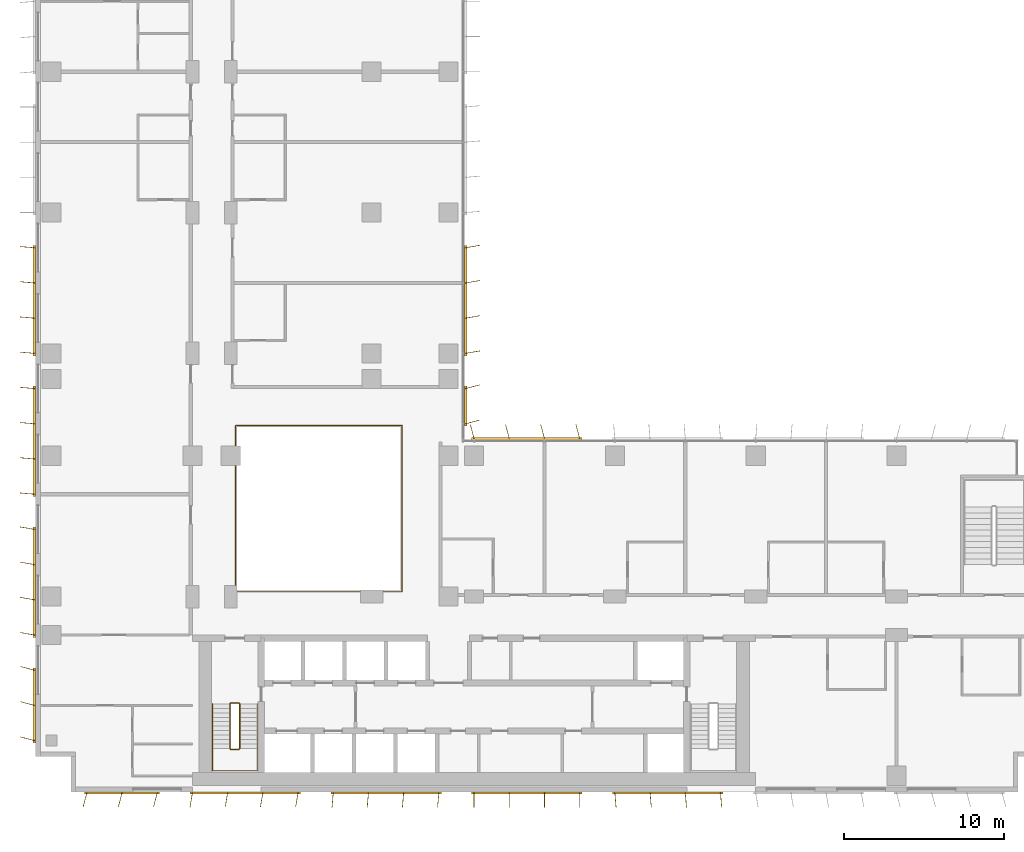
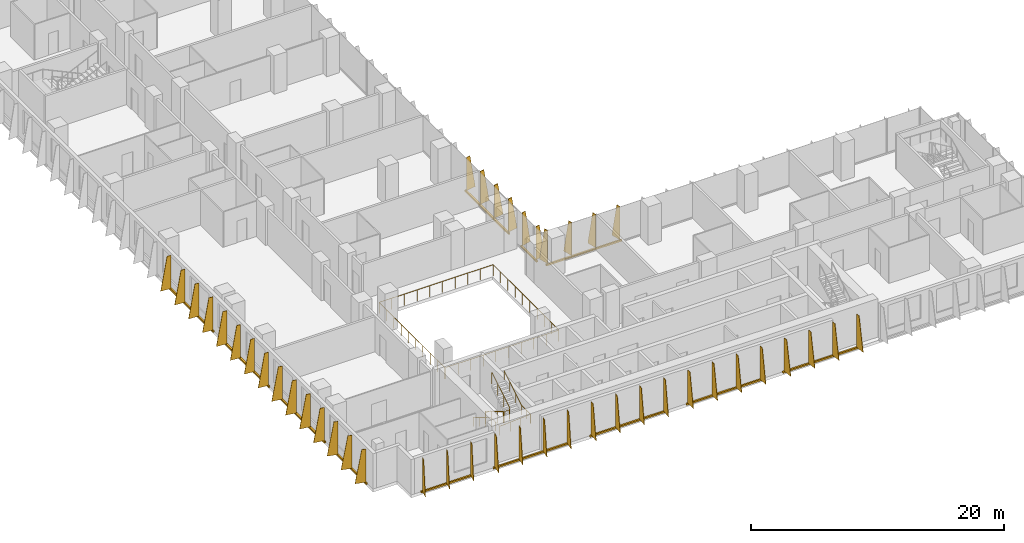
# One storey, part 19 of 22: 12 shading devices, 3 railings.
"""IFC4 building model written with IfcOpenShell, lengths in metres."""

from ifc_helpers import new_model, si_unit, direction, frame, origin, origin_2d, place, context, subcontext, project, spatial, polyline, rectangle, circle, outline, extrude, source, transform, mapped, material, layer, layer_set, type_object, element, save


model = new_model("IFC4")

# Units and contexts
model_context = context("Model", 3, precision=1e-05, world=origin(), true_north=direction((0.0, 1.0)))
body_context = subcontext(model_context, "Body", "Model", "MODEL_VIEW")
ifc_project = project(units=[si_unit("LENGTHUNIT", "METRE"), si_unit("AREAUNIT", "SQUARE_METRE"), si_unit("VOLUMEUNIT", "CUBIC_METRE"), si_unit("PLANEANGLEUNIT", "RADIAN"), si_unit("MASSUNIT", "GRAM", prefix="KILO")], contexts=[model_context])

# Site, building, storey
site_placement = place(None, origin())
site = spatial("IfcSite", under=ifc_project, at=site_placement, CompositionType="ELEMENT")
building_placement = place(site_placement, origin())
building = spatial("IfcBuilding", under=site, at=building_placement, Name="Kemantara Hotel Tower", CompositionType="ELEMENT")
storey_placement = place(building_placement, frame((0.0, 0.0, 125.89990234375)))
storey = spatial("IfcBuildingStorey", under=building, at=storey_placement, Name="L30", CompositionType="ELEMENT", Elevation=125.89990234375)

# Railings
ifc_material_1 = material(Name="Stainless steel and laminated glass balustrade", Category="steel")
railing_type_1 = type_object("IfcRailingType", Name="ATRIUM GUARD 1100", PredefinedType="GUARDRAIL", material=ifc_material_1)
railing_1_placement = place(storey_placement, frame((12.56005859375, 12.5, 0.0)))
element("IfcRailing", 1, at=railing_1_placement, inside=storey, type_object=railing_type_1, Name="ATRIUM GUARD L30", PredefinedType="GUARDRAIL", context=body_context, shape_type="SweptSolid", body=[
    extrude(circle(Radius=0.02490234375, at=origin_2d()), frame((0.0, 0.0, 1.0751953125), z_axis=(1.0, 0.0, 0.0), x_axis=(0.0, 1.0, 0.0)), (0.0, 0.0, 1.0), 10.33984375),
    extrude(circle(Radius=0.02490234375, at=origin_2d()), frame((10.33984375, 0.0, 1.0751953125), z_axis=(0.0, 1.0, 0.0), x_axis=(-1.0, 0.0, 0.0)), (0.0, 0.0, 1.0), 10.39990234375),
    extrude(circle(Radius=0.02490234375, at=origin_2d()), frame((10.33984375, 10.39990234375, 1.0751953125), z_axis=(-1.0, 0.0, 0.0), x_axis=(0.0, -1.0, 0.0)), (0.0, 0.0, 1.0), 10.39990234375),
    extrude(circle(Radius=0.02490234375, at=origin_2d()), frame((-0.06005859375, 10.39990234375, 1.0751953125), z_axis=(0.0, -1.0, 0.0), x_axis=(1.0, 0.0, 0.0)), (0.0, 0.0, 1.0), 10.39990234375),
    extrude(circle(Radius=0.02001953125, at=origin_2d()), origin(), (0.0, 0.0, 1.0), 1.050048828125),
    extrude(circle(Radius=0.02001953125, at=origin_2d()), frame((1.14892578125, 0.0, 0.0)), (0.0, 0.0, 1.0), 1.050048828125),
    extrude(circle(Radius=0.02001953125, at=origin_2d()), frame((2.2978515625, 0.0, 0.0)), (0.0, 0.0, 1.0), 1.050048828125),
    extrude(circle(Radius=0.02001953125, at=origin_2d()), frame((3.446533203125, 0.0, 0.0)), (0.0, 0.0, 1.0), 1.050048828125),
    extrude(circle(Radius=0.02001953125, at=origin_2d()), frame((4.595458984375, 0.0, 0.0)), (0.0, 0.0, 1.0), 1.050048828125),
    extrude(circle(Radius=0.02001953125, at=origin_2d()), frame((5.744384765625, 0.0, 0.0)), (0.0, 0.0, 1.0), 1.050048828125),
    extrude(circle(Radius=0.02001953125, at=origin_2d()), frame((6.893310546875, 0.0, 0.0)), (0.0, 0.0, 1.0), 1.050048828125),
    extrude(circle(Radius=0.02001953125, at=origin_2d()), frame((8.0419921875, 0.0, 0.0)), (0.0, 0.0, 1.0), 1.050048828125),
    extrude(circle(Radius=0.02001953125, at=origin_2d()), frame((9.19091796875, 0.0, 0.0)), (0.0, 0.0, 1.0), 1.050048828125),
    extrude(circle(Radius=0.02001953125, at=origin_2d()), frame((10.33984375, 0.0, 0.0)), (0.0, 0.0, 1.0), 1.050048828125),
    extrude(circle(Radius=0.02001953125, at=origin_2d()), frame((10.33984375, 1.155517578125, 0.0)), (0.0, 0.0, 1.0), 1.050048828125),
    extrude(circle(Radius=0.02001953125, at=origin_2d()), frame((10.33984375, 2.31103515625, 0.0)), (0.0, 0.0, 1.0), 1.050048828125),
    extrude(circle(Radius=0.02001953125, at=origin_2d()), frame((10.33984375, 3.466552734375, 0.0)), (0.0, 0.0, 1.0), 1.050048828125),
    extrude(circle(Radius=0.02001953125, at=origin_2d()), frame((10.33984375, 4.6220703125, 0.0)), (0.0, 0.0, 1.0), 1.050048828125),
    extrude(circle(Radius=0.02001953125, at=origin_2d()), frame((10.33984375, 5.77783203125, 0.0)), (0.0, 0.0, 1.0), 1.050048828125),
    extrude(circle(Radius=0.02001953125, at=origin_2d()), frame((10.33984375, 6.933349609375, 0.0)), (0.0, 0.0, 1.0), 1.050048828125),
    extrude(circle(Radius=0.02001953125, at=origin_2d()), frame((10.33984375, 8.0888671875, 0.0)), (0.0, 0.0, 1.0), 1.050048828125),
    extrude(circle(Radius=0.02001953125, at=origin_2d()), frame((10.33984375, 9.244384765625, 0.0)), (0.0, 0.0, 1.0), 1.050048828125),
    extrude(circle(Radius=0.02001953125, at=origin_2d()), frame((10.33984375, 10.39990234375, 0.0)), (0.0, 0.0, 1.0), 1.050048828125),
    extrude(circle(Radius=0.02001953125, at=origin_2d()), frame((9.184326171875, 10.39990234375, 0.0)), (0.0, 0.0, 1.0), 1.050048828125),
    extrude(circle(Radius=0.02001953125, at=origin_2d()), frame((8.02880859375, 10.39990234375, 0.0)), (0.0, 0.0, 1.0), 1.050048828125),
    extrude(circle(Radius=0.02001953125, at=origin_2d()), frame((6.873291015625, 10.39990234375, 0.0)), (0.0, 0.0, 1.0), 1.050048828125),
    extrude(circle(Radius=0.02001953125, at=origin_2d()), frame((5.7177734375, 10.39990234375, 0.0)), (0.0, 0.0, 1.0), 1.050048828125),
    extrude(circle(Radius=0.02001953125, at=origin_2d()), frame((4.56201171875, 10.39990234375, 0.0)), (0.0, 0.0, 1.0), 1.050048828125),
    extrude(circle(Radius=0.02001953125, at=origin_2d()), frame((3.406494140625, 10.39990234375, 0.0)), (0.0, 0.0, 1.0), 1.050048828125),
    extrude(circle(Radius=0.02001953125, at=origin_2d()), frame((2.2509765625, 10.39990234375, 0.0)), (0.0, 0.0, 1.0), 1.050048828125),
    extrude(circle(Radius=0.02001953125, at=origin_2d()), frame((1.095458984375, 10.39990234375, 0.0)), (0.0, 0.0, 1.0), 1.050048828125),
    extrude(circle(Radius=0.02001953125, at=origin_2d()), frame((-0.06005859375, 10.39990234375, 0.0)), (0.0, 0.0, 1.0), 1.050048828125),
    extrude(circle(Radius=0.02001953125, at=origin_2d()), frame((-0.06005859375, 9.244384765625, 0.0)), (0.0, 0.0, 1.0), 1.050048828125),
    extrude(circle(Radius=0.02001953125, at=origin_2d()), frame((-0.06005859375, 8.0888671875, 0.0)), (0.0, 0.0, 1.0), 1.050048828125),
    extrude(circle(Radius=0.02001953125, at=origin_2d()), frame((-0.06005859375, 6.933349609375, 0.0)), (0.0, 0.0, 1.0), 1.050048828125),
    extrude(circle(Radius=0.02001953125, at=origin_2d()), frame((-0.06005859375, 5.77783203125, 0.0)), (0.0, 0.0, 1.0), 1.050048828125),
    extrude(circle(Radius=0.02001953125, at=origin_2d()), frame((-0.06005859375, 4.6220703125, 0.0)), (0.0, 0.0, 1.0), 1.050048828125),
    extrude(circle(Radius=0.02001953125, at=origin_2d()), frame((-0.06005859375, 3.466552734375, 0.0)), (0.0, 0.0, 1.0), 1.050048828125),
    extrude(circle(Radius=0.02001953125, at=origin_2d()), frame((-0.06005859375, 2.31103515625, 0.0)), (0.0, 0.0, 1.0), 1.050048828125),
    extrude(circle(Radius=0.02001953125, at=origin_2d()), frame((-0.06005859375, 1.155517578125, 0.0)), (0.0, 0.0, 1.0), 1.050048828125),
    extrude(circle(Radius=0.02001953125, at=origin_2d()), frame((-0.06005859375, 0.0, 0.0)), (0.0, 0.0, 1.0), 1.050048828125),
])
ifc_material_2 = material(Name="Stainless steel balustrade", Category="steel")
railing_type_2 = type_object("IfcRailingType", Name="Stair guard 1100 mm", PredefinedType="GUARDRAIL", material=ifc_material_2)
railing_2_placement = place(storey_placement, frame((12.75, 5.5, 3.7001953125)))
element("IfcRailing", 2, at=railing_2_placement, inside=storey, type_object=railing_type_2, Name="L30 ST1 stair guard 1", PredefinedType="GUARDRAIL", context=body_context, shape_type="SweptSolid", body=[
    extrude(circle(Radius=0.02392578125, at=origin_2d()), frame((0.0, 0.0, 1.076171875), z_axis=(0.0, -0.857242210791, -0.514913383045), x_axis=(1.0, 0.0, 0.0)), (0.0, 0.0, 1.0), 3.266357421875),
    extrude(circle(Radius=0.02392578125, at=origin_2d()), frame((0.0, -2.800048828125, -0.60595703125), z_axis=(-0.274243871929, -0.274243871929, -0.92172696468), x_axis=(0.707106781187, -0.707106781187, 0.0)), (0.0, 0.0, 1.0), 0.1826171875),
    extrude(circle(Radius=0.02392578125, at=origin_2d()), frame((-0.050048828125, -2.85009765625, -0.77392578125), z_axis=(-1.0, 0.0, 0.0), x_axis=(0.0, -1.0, 0.0)), (0.0, 0.0, 1.0), 0.5),
    extrude(circle(Radius=0.02392578125, at=origin_2d()), frame((-0.550048828125, -2.85009765625, -0.77392578125), z_axis=(-0.707106781187, 0.707106781187, 0.0), x_axis=(-0.707106781187, -0.707106781187, 0.0)), (0.0, 0.0, 1.0), 0.07080078125),
    extrude(circle(Radius=0.02392578125, at=origin_2d()), frame((-0.60009765625, -2.800048828125, -0.77392578125), z_axis=(0.0, 0.857242210791, -0.514913383045), x_axis=(-1.0, 0.0, 0.0)), (0.0, 0.0, 1.0), 3.266357421875),
    extrude(circle(Radius=0.02392578125, at=origin_2d()), frame((-0.60009765625, 0.0, -2.4560546875), z_axis=(0.274243871929, 0.274243871929, -0.92172696468), x_axis=(-0.707106781187, 0.707106781187, 0.0)), (0.0, 0.0, 1.0), 0.1826171875),
    extrude(circle(Radius=0.02392578125, at=origin_2d()), frame((-0.550048828125, 0.050048828125, -2.6240234375), z_axis=(1.0, 0.0, 0.0), x_axis=(0.0, 1.0, 0.0)), (0.0, 0.0, 1.0), 0.5),
    extrude(circle(Radius=0.02099609375, at=origin_2d()), origin(), (0.0, 0.0, 1.0), 1.052001953125),
    extrude(circle(Radius=0.02099609375, at=origin_2d()), frame((0.0, -0.933349609375, -0.560546875)), (0.0, 0.0, 1.0), 1.052001953125),
    extrude(circle(Radius=0.02099609375, at=origin_2d()), frame((0.0, -1.86669921875, -1.121337890625)), (0.0, 0.0, 1.0), 1.052001953125),
    extrude(circle(Radius=0.02099609375, at=origin_2d()), frame((0.0, -2.800048828125, -1.681884765625)), (0.0, 0.0, 1.0), 1.052001953125),
    extrude(circle(Radius=0.02099609375, at=origin_2d()), frame((-0.050048828125, -2.85009765625, -1.85009765625)), (0.0, 0.0, 1.0), 1.052001953125),
    extrude(circle(Radius=0.02099609375, at=origin_2d()), frame((-0.550048828125, -2.85009765625, -1.85009765625)), (0.0, 0.0, 1.0), 1.052001953125),
    extrude(circle(Radius=0.02099609375, at=origin_2d()), frame((-0.60009765625, -2.800048828125, -1.85009765625)), (0.0, 0.0, 1.0), 1.052001953125),
    extrude(circle(Radius=0.02099609375, at=origin_2d()), frame((-0.60009765625, -1.86669921875, -2.41064453125)), (0.0, 0.0, 1.0), 1.052001953125),
    extrude(circle(Radius=0.02099609375, at=origin_2d()), frame((-0.60009765625, -0.933349609375, -2.971435546875)), (0.0, 0.0, 1.0), 1.052001953125),
    extrude(circle(Radius=0.02099609375, at=origin_2d()), frame((-0.60009765625, 0.0, -3.531982421875)), (0.0, 0.0, 1.0), 1.052001953125),
    extrude(circle(Radius=0.02099609375, at=origin_2d()), frame((-0.550048828125, 0.050048828125, -3.7001953125)), (0.0, 0.0, 1.0), 1.052001953125),
    extrude(circle(Radius=0.02099609375, at=origin_2d()), frame((-0.050048828125, 0.050048828125, -3.7001953125)), (0.0, 0.0, 1.0), 1.052001953125),
])
railing_type_3 = type_object("IfcRailingType", Name="Stair handrail 900 mm", PredefinedType="HANDRAIL", material=ifc_material_2)
railing_3_placement = place(storey_placement, frame((11.050048828125, 5.5, 0.168212890625)))
element("IfcRailing", 3, at=railing_3_placement, inside=storey, type_object=railing_type_3, Name="L30 ST1 stair handrail 1", PredefinedType="HANDRAIL", context=body_context, shape_type="SweptSolid", body=[
    extrude(circle(Radius=0.02392578125, at=origin_2d()), frame((0.0, 0.0, 0.8759765625), z_axis=(0.0, -0.857242210791, 0.514913383045), x_axis=(1.0, 0.0, 0.0)), (0.0, 0.0, 1.0), 3.266357421875),
    extrude(circle(Radius=0.02392578125, at=origin_2d()), frame((0.0, -2.800048828125, 2.5576171875), z_axis=(0.0, -1.0, 0.0), x_axis=(1.0, 0.0, 0.0)), (0.0, 0.0, 1.0), 1.3798828125),
    extrude(circle(Radius=0.02392578125, at=origin_2d()), frame((0.0, -4.179931640625, 2.5576171875), z_axis=(0.998200367801, 0.0, 0.059966871865), x_axis=(0.0, 1.0, 0.0)), (0.0, 0.0, 1.0), 2.80517578125),
    extrude(circle(Radius=0.02392578125, at=origin_2d()), frame((2.800048828125, -4.179931640625, 2.72607421875), z_axis=(0.0, 1.0, 0.0), x_axis=(-1.0, 0.0, 0.0)), (0.0, 0.0, 1.0), 1.3798828125),
    extrude(circle(Radius=0.02392578125, at=origin_2d()), frame((2.800048828125, -2.800048828125, 2.72607421875), z_axis=(0.0, 0.857242210791, 0.514913383045), x_axis=(-1.0, 0.0, 0.0)), (0.0, 0.0, 1.0), 3.266357421875),
    extrude(circle(Radius=0.02099609375, at=origin_2d()), origin(), (0.0, 0.0, 1.0), 0.851806640625),
    extrude(circle(Radius=0.02099609375, at=origin_2d()), frame((0.0, -0.933349609375, 0.560546875)), (0.0, 0.0, 1.0), 0.851806640625),
    extrude(circle(Radius=0.02099609375, at=origin_2d()), frame((0.0, -1.86669921875, 1.121337890625)), (0.0, 0.0, 1.0), 0.851806640625),
    extrude(circle(Radius=0.02099609375, at=origin_2d()), frame((0.0, -2.800048828125, 1.681884765625)), (0.0, 0.0, 1.0), 0.851806640625),
    extrude(circle(Radius=0.02099609375, at=origin_2d()), frame((0.0, -3.489990234375, 1.681884765625)), (0.0, 0.0, 1.0), 0.851806640625),
    extrude(circle(Radius=0.02099609375, at=origin_2d()), frame((0.0, -4.179931640625, 1.681884765625)), (0.0, 0.0, 1.0), 0.851806640625),
    extrude(circle(Radius=0.02099609375, at=origin_2d()), frame((0.933349609375, -4.179931640625, 1.738037109375)), (0.0, 0.0, 1.0), 0.851806640625),
    extrude(circle(Radius=0.02099609375, at=origin_2d()), frame((1.86669921875, -4.179931640625, 1.7939453125)), (0.0, 0.0, 1.0), 0.851806640625),
    extrude(circle(Radius=0.02099609375, at=origin_2d()), frame((2.800048828125, -4.179931640625, 1.85009765625)), (0.0, 0.0, 1.0), 0.851806640625),
    extrude(circle(Radius=0.02099609375, at=origin_2d()), frame((2.800048828125, -3.489990234375, 1.85009765625)), (0.0, 0.0, 1.0), 0.851806640625),
    extrude(circle(Radius=0.02099609375, at=origin_2d()), frame((2.800048828125, -2.800048828125, 1.85009765625)), (0.0, 0.0, 1.0), 0.851806640625),
    extrude(circle(Radius=0.02099609375, at=origin_2d()), frame((2.800048828125, -1.86669921875, 2.41064453125)), (0.0, 0.0, 1.0), 0.851806640625),
    extrude(circle(Radius=0.02099609375, at=origin_2d()), frame((2.800048828125, -0.933349609375, 2.971435546875)), (0.0, 0.0, 1.0), 0.851806640625),
    extrude(circle(Radius=0.02099609375, at=origin_2d()), frame((2.800048828125, 0.0, 3.531982421875)), (0.0, 0.0, 1.0), 0.851806640625),
])

# Shading devices
ifc_material_3 = material(Name="Perforated aluminium plate 4 mm bronze anodised", Category="aluminium")
ifc_layer_1 = layer(ifc_material_3, 0.0400390625)
ifc_layer_set_1 = layer_set([ifc_layer_1], Name="Perforated aluminium plate 4 mm bronze anodised")
shading_device_type_1 = type_object("IfcShadingDeviceType", Name="SCREEN FIN CASSETTE, 3 BLADES AT -15.0 DEG, 3200 HIGH", PredefinedType="USERDEFINED", material=ifc_layer_set_1)
shared_shape_1 = source(origin(), body_context, "Body", "SweptSolid", [
    extrude(rectangle(XDim=4.699951171875, YDim=0.14990234375, at=origin_2d()), frame((2.199951171875, -0.074951171875, -0.14990234375), z_axis=(0.0, 0.0, 1.0), x_axis=(1.0, 0.0, 0.0)), (0.0, 0.0, 1.0), 0.14990234375),
    extrude(outline(polyline([(0.0, 0.0), (0.89990234375, 0.0), (0.35009765625, 3.199951171875), (0.0, 3.199951171875), (0.0, 0.0)])), frame((0.019287109375, -0.080078125, 0.0), z_axis=(-0.966437683387, 0.256901156343, 0.0), x_axis=(-0.256901156343, -0.966437683387, 0.0)), (0.0, 0.0, 1.0), 0.039794921875),
    extrude(outline(polyline([(0.0, 0.0), (0.89990234375, 0.0), (0.35009765625, 3.199951171875), (0.0, 3.199951171875), (0.0, 0.0)])), frame((2.21923828125, -0.080078125, 0.0), z_axis=(-0.966437683387, 0.256901156343, 0.0), x_axis=(-0.256901156343, -0.966437683387, 0.0)), (0.0, 0.0, 1.0), 0.039794921875),
    extrude(outline(polyline([(0.0, 0.0), (0.89990234375, 0.0), (0.35009765625, 3.199951171875), (0.0, 3.199951171875), (0.0, 0.0)])), frame((4.41943359375, -0.080078125, 0.0), z_axis=(-0.966837822169, 0.255391122837, 0.0), x_axis=(-0.255391122837, -0.966837822169, 0.0)), (0.0, 0.0, 1.0), 0.0400390625),
])
for number, where, z_axis, x_axis, name in (
    (4, (0.0, 7.60009765625, 0.10009765625), (0.0, 0.0, 1.0), (0.0, -1.0, 0.0), "SCREEN FIN CASSETTE L30 T2-R04-9"),
    (5, (3.199951171875, 0.0, 0.10009765625), (0.0, 0.0, 1.0), (1.0, 0.0, 0.0), "SCREEN FIN CASSETTE L30 T2-R07-1"),
):
    element("IfcShadingDevice", number, at=place(storey_placement, frame(where, z_axis=z_axis, x_axis=x_axis)), inside=storey, type_object=shading_device_type_1, Name=name, ObjectType="SCREEN FIN", PredefinedType="USERDEFINED", context=body_context, shape_type="MappedRepresentation", body=[
        mapped(shared_shape_1, transform((0.0, 0.0, 0.0))),
    ])
ifc_layer_2 = layer(ifc_material_3, 0.0400390625)
ifc_layer_set_2 = layer_set([ifc_layer_2], Name="Perforated aluminium plate 4 mm bronze anodised")
shading_device_type_2 = type_object("IfcShadingDeviceType", Name="SCREEN FIN CASSETTE, 4 BLADES AT -10.0 DEG, 3200 HIGH", PredefinedType="USERDEFINED", material=ifc_layer_set_2)
shared_shape_2 = source(origin(), body_context, "Body", "SweptSolid", [
    extrude(rectangle(XDim=6.89990234375, YDim=0.14990234375, at=origin_2d()), frame((3.300048828125, -0.074951171875, -0.14990234375), z_axis=(0.0, 0.0, 1.0), x_axis=(1.0, 0.0, 0.0)), (0.0, 0.0, 1.0), 0.14990234375),
    extrude(outline(polyline([(0.0, 0.0), (0.89990234375, 0.0), (0.35009765625, 3.199951171875), (0.0, 3.199951171875), (0.0, 0.0)])), frame((0.019775390625, -0.078369140625, 0.0), z_axis=(-0.985389793052, 0.170314285219, 0.0), x_axis=(-0.170314285219, -0.985389793052, 0.0)), (0.0, 0.0, 1.0), 0.0400390625),
    extrude(outline(polyline([(0.0, 0.0), (0.89990234375, 0.0), (0.35009765625, 3.199951171875), (0.0, 3.199951171875), (0.0, 0.0)])), frame((2.2197265625, -0.078369140625, 0.0), z_axis=(-0.98521175482, 0.171341174751, 0.0), x_axis=(-0.171341174751, -0.98521175482, 0.0)), (0.0, 0.0, 1.0), 0.039794921875),
    extrude(outline(polyline([(0.0, 0.0), (0.89990234375, 0.0), (0.35009765625, 3.199951171875), (0.0, 3.199951171875), (0.0, 0.0)])), frame((4.419677734375, -0.078369140625, 0.0), z_axis=(-0.98521175482, 0.171341174751, 0.0), x_axis=(-0.171341174751, -0.98521175482, 0.0)), (0.0, 0.0, 1.0), 0.039794921875),
    extrude(outline(polyline([(0.0, 0.0), (0.89990234375, 0.0), (0.35009765625, 3.199951171875), (0.0, 3.199951171875), (0.0, 0.0)])), frame((6.61962890625, -0.078369140625, 0.0), z_axis=(-0.98521175482, 0.171341174751, 0.0), x_axis=(-0.171341174751, -0.98521175482, 0.0)), (0.0, 0.0, 1.0), 0.039794921875),
])
for number, where, z_axis, x_axis, name in (
    (6, (0.0, 16.39990234375, 0.10009765625), (0.0, 0.0, 1.0), (0.0, -1.0, 0.0), "SCREEN FIN CASSETTE L30 T2-R04-8"),
    (7, (9.800048828125, 0.0, 0.10009765625), (0.0, 0.0, 1.0), (1.0, 0.0, 0.0), "SCREEN FIN CASSETTE L30 T2-R07-2"),
):
    element("IfcShadingDevice", number, at=place(storey_placement, frame(where, z_axis=z_axis, x_axis=x_axis)), inside=storey, type_object=shading_device_type_2, Name=name, ObjectType="SCREEN FIN", PredefinedType="USERDEFINED", context=body_context, shape_type="MappedRepresentation", body=[
        mapped(shared_shape_2, transform((0.0, 0.0, 0.0))),
    ])
ifc_layer_3 = layer(ifc_material_3, 0.0400390625)
ifc_layer_set_3 = layer_set([ifc_layer_3], Name="Perforated aluminium plate 4 mm bronze anodised")
shading_device_type_3 = type_object("IfcShadingDeviceType", Name="SCREEN FIN CASSETTE, 4 BLADES AT -5.0 DEG, 3200 HIGH", PredefinedType="USERDEFINED", material=ifc_layer_set_3)
shared_shape_3 = source(origin(), body_context, "Body", "SweptSolid", [
    extrude(rectangle(XDim=6.89990234375, YDim=0.14990234375, at=origin_2d()), frame((3.300048828125, -0.074951171875, -0.14990234375), z_axis=(0.0, 0.0, 1.0), x_axis=(1.0, 0.0, 0.0)), (0.0, 0.0, 1.0), 0.14990234375),
    extrude(outline(polyline([(0.0, 0.0), (0.89990234375, 0.0), (0.35009765625, 3.199951171875), (0.0, 3.199951171875), (0.0, 0.0)])), frame((0.02001953125, -0.07666015625, 0.0), z_axis=(-0.996376129781, 0.085056498884, 0.0), x_axis=(-0.085056498884, -0.996376129781, 0.0)), (0.0, 0.0, 1.0), 0.040283203125),
    extrude(outline(polyline([(0.0, 0.0), (0.89990234375, 0.0), (0.35009765625, 3.199951171875), (0.0, 3.199951171875), (0.0, 0.0)])), frame((2.219970703125, -0.07666015625, 0.0), z_axis=(-0.996331773833, 0.085574508182, 0.0), x_axis=(-0.085574508182, -0.996331773833, 0.0)), (0.0, 0.0, 1.0), 0.0400390625),
    extrude(outline(polyline([(0.0, 0.0), (0.89990234375, 0.0), (0.35009765625, 3.199951171875), (0.0, 3.199951171875), (0.0, 0.0)])), frame((4.419921875, -0.07666015625, 0.0), z_axis=(-0.996331773833, 0.085574508182, 0.0), x_axis=(-0.085574508182, -0.996331773833, 0.0)), (0.0, 0.0, 1.0), 0.0400390625),
    extrude(outline(polyline([(0.0, 0.0), (0.89990234375, 0.0), (0.35009765625, 3.199951171875), (0.0, 3.199951171875), (0.0, 0.0)])), frame((6.619873046875, -0.07666015625, 0.0), z_axis=(-0.996331773833, 0.085574508182, 0.0), x_axis=(-0.085574508182, -0.996331773833, 0.0)), (0.0, 0.0, 1.0), 0.0400390625),
])
for number, where, z_axis, x_axis, name in (
    (8, (0.0, 34.0, 0.10009765625), (0.0, 0.0, 1.0), (0.0, -1.0, 0.0), "SCREEN FIN CASSETTE L30 T2-R04-6"),
    (9, (0.0, 25.199951171875, 0.10009765625), (0.0, 0.0, 1.0), (0.0, -1.0, 0.0), "SCREEN FIN CASSETTE L30 T2-R04-7"),
    (10, (18.60009765625, 0.0, 0.10009765625), (0.0, 0.0, 1.0), (1.0, 0.0, 0.0), "SCREEN FIN CASSETTE L30 T2-R07-3"),
):
    element("IfcShadingDevice", number, at=place(storey_placement, frame(where, z_axis=z_axis, x_axis=x_axis)), inside=storey, type_object=shading_device_type_3, Name=name, ObjectType="SCREEN FIN", PredefinedType="USERDEFINED", context=body_context, shape_type="MappedRepresentation", body=[
        mapped(shared_shape_3, transform((0.0, 0.0, 0.0))),
    ])
ifc_layer_4 = layer(ifc_material_3, 0.0400390625)
ifc_layer_set_4 = layer_set([ifc_layer_4], Name="Perforated aluminium plate 4 mm bronze anodised")
shading_device_type_4 = type_object("IfcShadingDeviceType", Name="SCREEN FIN CASSETTE, 4 BLADES AT +0.0 DEG, 3200 HIGH", PredefinedType="USERDEFINED", material=ifc_layer_set_4)
shared_shape_4 = source(origin(), body_context, "Body", "SweptSolid", [
    extrude(rectangle(XDim=6.89990234375, YDim=0.14990234375, at=origin_2d()), frame((3.300048828125, -0.074951171875, -0.14990234375), z_axis=(0.0, 0.0, 1.0), x_axis=(1.0, 0.0, 0.0)), (0.0, 0.0, 1.0), 0.14990234375),
    extrude(outline(polyline([(0.0, 0.0), (0.89990234375, 0.0), (0.35009765625, 3.199951171875), (0.0, 3.199951171875), (0.0, 0.0)])), frame((0.02001953125, -0.074951171875, 0.0), z_axis=(-1.0, 0.0, 0.0), x_axis=(0.0, -1.0, 0.0)), (0.0, 0.0, 1.0), 0.0400390625),
    extrude(outline(polyline([(0.0, 0.0), (0.89990234375, 0.0), (0.35009765625, 3.199951171875), (0.0, 3.199951171875), (0.0, 0.0)])), frame((2.219970703125, -0.074951171875, 0.0), z_axis=(-1.0, 0.0, 0.0), x_axis=(0.0, -1.0, 0.0)), (0.0, 0.0, 1.0), 0.0400390625),
    extrude(outline(polyline([(0.0, 0.0), (0.89990234375, 0.0), (0.35009765625, 3.199951171875), (0.0, 3.199951171875), (0.0, 0.0)])), frame((4.419921875, -0.074951171875, 0.0), z_axis=(-1.0, 0.0, 0.0), x_axis=(0.0, -1.0, 0.0)), (0.0, 0.0, 1.0), 0.0400390625),
    extrude(outline(polyline([(0.0, 0.0), (0.89990234375, 0.0), (0.35009765625, 3.199951171875), (0.0, 3.199951171875), (0.0, 0.0)])), frame((6.6201171875, -0.074951171875, 0.0), z_axis=(-1.0, 0.0, 0.0), x_axis=(0.0, -1.0, 0.0)), (0.0, 0.0, 1.0), 0.0400390625),
])
shading_device_1_placement = place(storey_placement, frame((27.39990234375, 0.0, 0.10009765625), z_axis=(0.0, 0.0, 1.0), x_axis=(1.0, 0.0, 0.0)))
element("IfcShadingDevice", 11, at=shading_device_1_placement, inside=storey, type_object=shading_device_type_4, Name="SCREEN FIN CASSETTE L30 T2-R07-4", ObjectType="SCREEN FIN", PredefinedType="USERDEFINED", context=body_context, shape_type="MappedRepresentation", body=[
    mapped(shared_shape_4, transform((0.0, 0.0, 0.0))),
])
ifc_layer_5 = layer(ifc_material_3, 0.0400390625)
ifc_layer_set_5 = layer_set([ifc_layer_5], Name="Perforated aluminium plate 4 mm bronze anodised")
shading_device_type_5 = type_object("IfcShadingDeviceType", Name="SCREEN FIN CASSETTE, 4 BLADES AT +5.0 DEG, 3200 HIGH", PredefinedType="USERDEFINED", material=ifc_layer_set_5)
shared_shape_5 = source(origin(), body_context, "Body", "SweptSolid", [
    extrude(rectangle(XDim=6.89990234375, YDim=0.14990234375, at=origin_2d()), frame((3.300048828125, -0.074951171875, -0.14990234375), z_axis=(0.0, 0.0, 1.0), x_axis=(1.0, 0.0, 0.0)), (0.0, 0.0, 1.0), 0.14990234375),
    extrude(outline(polyline([(0.0, 0.0), (0.89990234375, 0.0), (0.35009765625, 3.199951171875), (0.0, 3.199951171875), (0.0, 0.0)])), frame((0.02001953125, -0.0732421875, 0.0), z_axis=(-0.996376129781, -0.085056498884, 0.0), x_axis=(0.085056498884, -0.996376129781, 0.0)), (0.0, 0.0, 1.0), 0.040283203125),
    extrude(outline(polyline([(0.0, 0.0), (0.89990234375, 0.0), (0.35009765625, 3.199951171875), (0.0, 3.199951171875), (0.0, 0.0)])), frame((2.219970703125, -0.0732421875, 0.0), z_axis=(-0.996331773833, -0.085574508182, 0.0), x_axis=(0.085574508182, -0.996331773833, 0.0)), (0.0, 0.0, 1.0), 0.0400390625),
    extrude(outline(polyline([(0.0, 0.0), (0.89990234375, 0.0), (0.35009765625, 3.199951171875), (0.0, 3.199951171875), (0.0, 0.0)])), frame((4.419921875, -0.0732421875, 0.0), z_axis=(-0.996331773833, -0.085574508182, 0.0), x_axis=(0.085574508182, -0.996331773833, 0.0)), (0.0, 0.0, 1.0), 0.0400390625),
    extrude(outline(polyline([(0.0, 0.0), (0.89990234375, 0.0), (0.35009765625, 3.199951171875), (0.0, 3.199951171875), (0.0, 0.0)])), frame((6.619873046875, -0.0732421875, 0.0), z_axis=(-0.996331773833, -0.085574508182, 0.0), x_axis=(0.085574508182, -0.996331773833, 0.0)), (0.0, 0.0, 1.0), 0.0400390625),
])
shading_device_2_placement = place(storey_placement, frame((36.199951171875, 0.0, 0.10009765625), z_axis=(0.0, 0.0, 1.0), x_axis=(1.0, 0.0, 0.0)))
element("IfcShadingDevice", 12, at=shading_device_2_placement, inside=storey, type_object=shading_device_type_5, Name="SCREEN FIN CASSETTE L30 T2-R07-5", ObjectType="SCREEN FIN", PredefinedType="USERDEFINED", context=body_context, shape_type="MappedRepresentation", body=[
    mapped(shared_shape_5, transform((0.0, 0.0, 0.0))),
])
ifc_layer_6 = layer(ifc_material_3, 0.0400390625)
ifc_layer_set_6 = layer_set([ifc_layer_6], Name="Perforated aluminium plate 4 mm bronze anodised")
shading_device_type_6 = type_object("IfcShadingDeviceType", Name="SCREEN FIN CASSETTE, 4 BLADES AT +10.0 DEG, 3200 HIGH", PredefinedType="USERDEFINED", material=ifc_layer_set_6)
shared_shape_6 = source(origin(), body_context, "Body", "SweptSolid", [
    extrude(rectangle(XDim=6.89990234375, YDim=0.14990234375, at=origin_2d()), frame((3.300048828125, -0.074951171875, -0.14990234375), z_axis=(0.0, 0.0, 1.0), x_axis=(1.0, 0.0, 0.0)), (0.0, 0.0, 1.0), 0.14990234375),
    extrude(outline(polyline([(0.0, 0.0), (0.89990234375, 0.0), (0.35009765625, 3.199951171875), (0.0, 3.199951171875), (0.0, 0.0)])), frame((0.019775390625, -0.071533203125, 0.0), z_axis=(-0.985389793052, -0.170314285219, 0.0), x_axis=(0.170314285219, -0.985389793052, 0.0)), (0.0, 0.0, 1.0), 0.0400390625),
    extrude(outline(polyline([(0.0, 0.0), (0.89990234375, 0.0), (0.35009765625, 3.199951171875), (0.0, 3.199951171875), (0.0, 0.0)])), frame((2.2197265625, -0.071533203125, 0.0), z_axis=(-0.98521175482, -0.171341174751, 0.0), x_axis=(0.171341174751, -0.98521175482, 0.0)), (0.0, 0.0, 1.0), 0.039794921875),
    extrude(outline(polyline([(0.0, 0.0), (0.89990234375, 0.0), (0.35009765625, 3.199951171875), (0.0, 3.199951171875), (0.0, 0.0)])), frame((4.419677734375, -0.071533203125, 0.0), z_axis=(-0.98521175482, -0.171341174751, 0.0), x_axis=(0.171341174751, -0.98521175482, 0.0)), (0.0, 0.0, 1.0), 0.039794921875),
    extrude(outline(polyline([(0.0, 0.0), (0.89990234375, 0.0), (0.35009765625, 3.199951171875), (0.0, 3.199951171875), (0.0, 0.0)])), frame((6.61962890625, -0.071533203125, 0.0), z_axis=(-0.98521175482, -0.171341174751, 0.0), x_axis=(0.171341174751, -0.98521175482, 0.0)), (0.0, 0.0, 1.0), 0.039794921875),
])
shading_device_3_placement = place(storey_placement, frame((26.800048828125, 27.39990234375, 0.10009765625), z_axis=(0.0, 0.0, 1.0), x_axis=(0.0, 1.0, 0.0)))
element("IfcShadingDevice", 13, at=shading_device_3_placement, inside=storey, type_object=shading_device_type_6, Name="SCREEN FIN CASSETTE L30 T2-R14-2", ObjectType="SCREEN FIN", PredefinedType="USERDEFINED", context=body_context, shape_type="MappedRepresentation", body=[
    mapped(shared_shape_6, transform((0.0, 0.0, 0.0))),
])
ifc_layer_7 = layer(ifc_material_3, 0.0400390625)
ifc_layer_set_7 = layer_set([ifc_layer_7], Name="Perforated aluminium plate 4 mm bronze anodised")
shading_device_type_7 = type_object("IfcShadingDeviceType", Name="SCREEN FIN CASSETTE, 4 BLADES AT +15.0 DEG, 3200 HIGH", PredefinedType="USERDEFINED", material=ifc_layer_set_7)
shared_shape_7 = source(origin(), body_context, "Body", "SweptSolid", [
    extrude(rectangle(XDim=6.89990234375, YDim=0.14990234375, at=origin_2d()), frame((3.300048828125, -0.074951171875, -0.14990234375), z_axis=(0.0, 0.0, 1.0), x_axis=(1.0, 0.0, 0.0)), (0.0, 0.0, 1.0), 0.14990234375),
    extrude(outline(polyline([(0.0, 0.0), (0.89990234375, 0.0), (0.35009765625, 3.199951171875), (0.0, 3.199951171875), (0.0, 0.0)])), frame((0.019287109375, -0.06982421875, 0.0), z_axis=(-0.966437683387, -0.256901156343, 0.0), x_axis=(0.256901156343, -0.966437683387, 0.0)), (0.0, 0.0, 1.0), 0.039794921875),
    extrude(outline(polyline([(0.0, 0.0), (0.89990234375, 0.0), (0.35009765625, 3.199951171875), (0.0, 3.199951171875), (0.0, 0.0)])), frame((2.21923828125, -0.06982421875, 0.0), z_axis=(-0.966437683387, -0.256901156343, 0.0), x_axis=(0.256901156343, -0.966437683387, 0.0)), (0.0, 0.0, 1.0), 0.039794921875),
    extrude(outline(polyline([(0.0, 0.0), (0.89990234375, 0.0), (0.35009765625, 3.199951171875), (0.0, 3.199951171875), (0.0, 0.0)])), frame((4.41943359375, -0.06982421875, 0.0), z_axis=(-0.966837822169, -0.255391122837, 0.0), x_axis=(0.255391122837, -0.966837822169, 0.0)), (0.0, 0.0, 1.0), 0.0400390625),
    extrude(outline(polyline([(0.0, 0.0), (0.89990234375, 0.0), (0.35009765625, 3.199951171875), (0.0, 3.199951171875), (0.0, 0.0)])), frame((6.619384765625, -0.06982421875, 0.0), z_axis=(-0.966837822169, -0.255391122837, 0.0), x_axis=(0.255391122837, -0.966837822169, 0.0)), (0.0, 0.0, 1.0), 0.0400390625),
])
shading_device_4_placement = place(storey_placement, frame((34.0, 22.0, 0.10009765625), z_axis=(0.0, 0.0, 1.0), x_axis=(-1.0, 0.0, 0.0)))
element("IfcShadingDevice", 14, at=shading_device_4_placement, inside=storey, type_object=shading_device_type_7, Name="SCREEN FIN CASSETTE L30 T2-R13-4", ObjectType="SCREEN FIN", PredefinedType="USERDEFINED", context=body_context, shape_type="MappedRepresentation", body=[
    mapped(shared_shape_7, transform((0.0, 0.0, 0.0))),
])
ifc_layer_8 = layer(ifc_material_3, 0.0400390625)
ifc_layer_set_8 = layer_set([ifc_layer_8], Name="Perforated aluminium plate 4 mm bronze anodised")
shading_device_type_8 = type_object("IfcShadingDeviceType", Name="SCREEN FIN CASSETTE, 2 BLADES AT +15.0 DEG, 3200 HIGH", PredefinedType="USERDEFINED", material=ifc_layer_set_8)
shared_shape_8 = source(origin(), body_context, "Body", "SweptSolid", [
    extrude(rectangle(XDim=2.5, YDim=0.14990234375, at=origin_2d()), frame((1.10009765625, -0.074951171875, -0.14990234375), z_axis=(0.0, 0.0, 1.0), x_axis=(1.0, 0.0, 0.0)), (0.0, 0.0, 1.0), 0.14990234375),
    extrude(outline(polyline([(0.0, 0.0), (0.89990234375, 0.0), (0.35009765625, 3.199951171875), (0.0, 3.199951171875), (0.0, 0.0)])), frame((0.019287109375, -0.06982421875, 0.0), z_axis=(-0.966437683387, -0.256901156343, 0.0), x_axis=(0.256901156343, -0.966437683387, 0.0)), (0.0, 0.0, 1.0), 0.039794921875),
    extrude(outline(polyline([(0.0, 0.0), (0.89990234375, 0.0), (0.35009765625, 3.199951171875), (0.0, 3.199951171875), (0.0, 0.0)])), frame((2.21923828125, -0.06982421875, 0.0), z_axis=(-0.966437683387, -0.256901156343, 0.0), x_axis=(0.256901156343, -0.966437683387, 0.0)), (0.0, 0.0, 1.0), 0.039794921875),
])
shading_device_5_placement = place(storey_placement, frame((26.800048828125, 23.0, 0.10009765625), z_axis=(0.0, 0.0, 1.0), x_axis=(0.0, 1.0, 0.0)))
element("IfcShadingDevice", 15, at=shading_device_5_placement, inside=storey, type_object=shading_device_type_8, Name="SCREEN FIN CASSETTE L30 T2-R14-1", ObjectType="SCREEN FIN", PredefinedType="USERDEFINED", context=body_context, shape_type="MappedRepresentation", body=[
    mapped(shared_shape_8, transform((0.0, 0.0, 0.0))),
])

save(model, "model.ifc")
